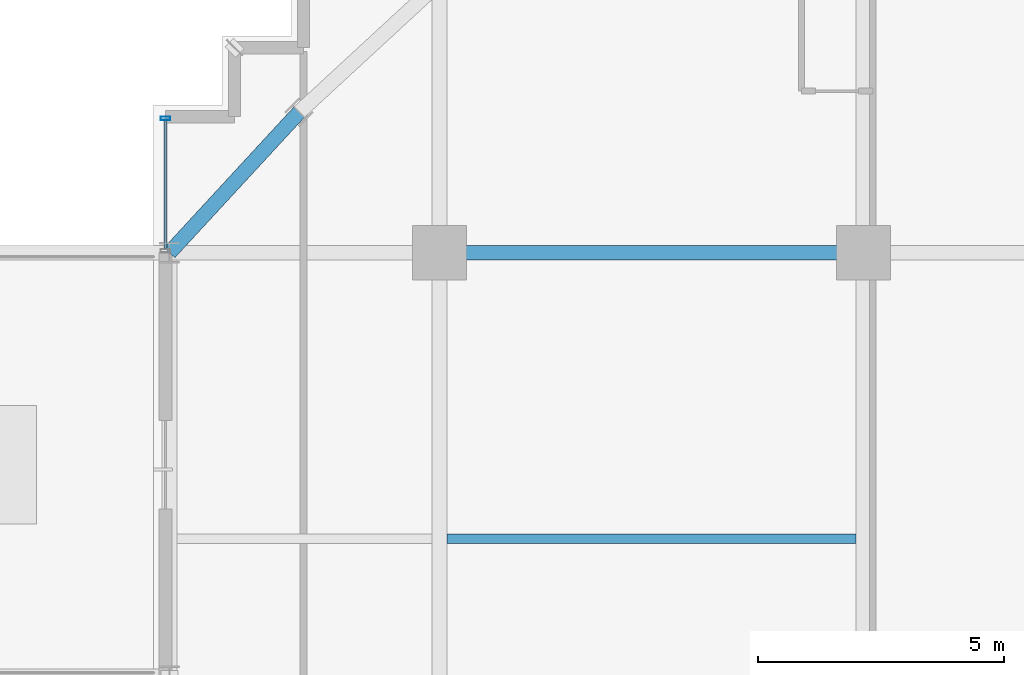
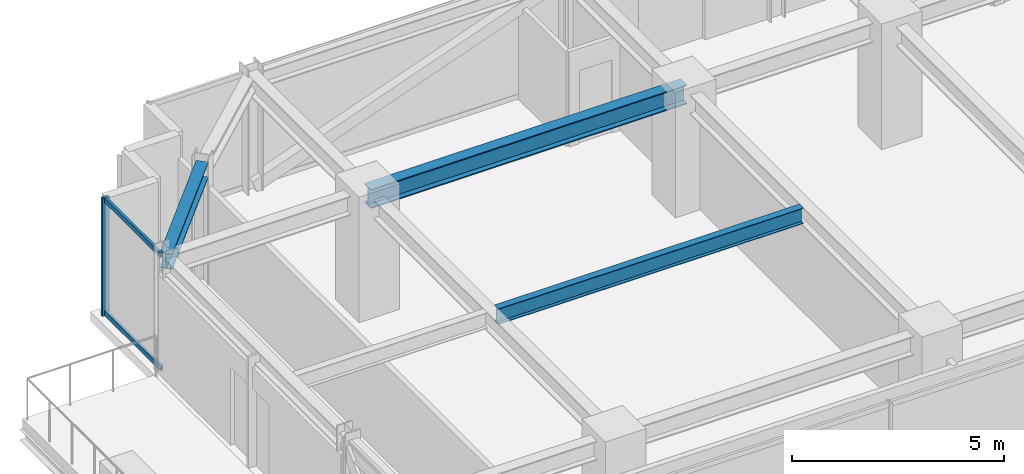
# One storey, part 23 of 43: 3 beams, 3 members, 1 element without a shape of its own.
"""IFC4 building model written with IfcOpenShell, lengths in metres."""

import ifcopenshell
import ifcopenshell.guid

model = None  # the IFC model being written
_history = None  # IfcOwnerHistory: only IFC2X3 demands one
_inside = {}  # id of a spatial element -> (the spatial element, [elements in it])
_under = {}  # id of a project, library or spatial element -> (it, [spatial elements below it])
_declared = {}  # id of a project -> (the project, [libraries it declares])
_typed = {}  # id of a type object -> (the type object, [elements of that type])
_made_of = {}  # id of a material, layer set ... -> (it, [elements and type objects made of it])


def new_model(schema):
    """Start an empty IFC model of exactly this schema.

    Asked for "IFC4X3", IfcOpenShell would pick the latest addendum, in which some entities
    have other attributes; the version numbers below select the first issue.
    IFC2X3 requires an IfcOwnerHistory on every rooted entity: one is made here for all.
    """
    global model, _history
    if schema == "IFC4X3":
        model = ifcopenshell.file(schema_version=(4, 3, 0, 0))
    else:
        model = ifcopenshell.file(schema=schema)
    _inside.clear()
    _under.clear()
    _declared.clear()
    _typed.clear()
    _made_of.clear()
    _history = None
    if model.schema == "IFC2X3":
        org = make("IfcOrganization", Name="unknown")
        user = make(
            "IfcPersonAndOrganization",
            ThePerson=make("IfcPerson", FamilyName="unknown"),
            TheOrganization=org,
        )
        app = make(
            "IfcApplication",
            ApplicationDeveloper=org,
            Version="unknown",
            ApplicationFullName="unknown",
            ApplicationIdentifier="unknown",
        )
        _history = make(
            "IfcOwnerHistory",
            OwningUser=user,
            OwningApplication=app,
            ChangeAction="ADDED",
            CreationDate=0,
        )
    return model


def make(cls, **values):
    """One entity of the class cls with the attributes given. An attribute that is None is left unset."""
    return model.create_entity(
        cls, **{name: value for name, value in values.items() if value is not None}
    )


def rooted(cls, **values):
    """An entity with a GlobalId (a new one), such as an element, a storey or a relation."""
    return make(cls, GlobalId=ifcopenshell.guid.new(), OwnerHistory=_history, **values)


def si_unit(unit_type, name, prefix=None):
    """IfcSIUnit, for example si_unit("LENGTHUNIT", "METRE", prefix="MILLI")."""
    return make("IfcSIUnit", UnitType=unit_type, Prefix=prefix, Name=name)


def assignment(units):
    """IfcUnitAssignment: the units of a project."""
    return None if units is None else make("IfcUnitAssignment", Units=units)


def point(xyz):
    """IfcCartesianPoint."""
    return None if xyz is None else make("IfcCartesianPoint", Coordinates=xyz)


def direction(xyz):
    """IfcDirection."""
    return None if xyz is None else make("IfcDirection", DirectionRatios=xyz)


def frame(location, z_axis=None, x_axis=None):
    """IfcAxis2Placement3D, a coordinate frame: its origin and axes. An axis left out is left unset."""
    return make(
        "IfcAxis2Placement3D",
        Location=point(location),
        Axis=direction(z_axis),
        RefDirection=direction(x_axis),
    )


def frame_2d(location, x_axis=None):
    """IfcAxis2Placement2D, a coordinate frame in the plane: its origin and x axis."""
    return make(
        "IfcAxis2Placement2D", Location=point(location), RefDirection=direction(x_axis)
    )


def origin():
    """The frame at (0, 0, 0) with its axes left unset."""
    return frame((0.0, 0.0, 0.0))


def origin_2d():
    """The frame at (0, 0) in the plane with its x axis left unset."""
    return frame_2d((0.0, 0.0))


def place(relative_to, where):
    """IfcLocalPlacement: puts the frame where relative to a parent placement (None: the world)."""
    return make(
        "IfcLocalPlacement", PlacementRelTo=relative_to, RelativePlacement=where
    )


def context(
    kind, dimensions, precision=None, world=None, true_north=None, identifier=None
):
    """IfcGeometricRepresentationContext, for example the 3D "Model" context."""
    return make(
        "IfcGeometricRepresentationContext",
        ContextIdentifier=identifier,
        ContextType=kind,
        CoordinateSpaceDimension=dimensions,
        Precision=precision,
        WorldCoordinateSystem=world,
        TrueNorth=true_north,
    )


def subcontext(parent, identifier, kind, view, scale=None):
    """IfcGeometricRepresentationSubContext, for example "Body" below "Model"."""
    return make(
        "IfcGeometricRepresentationSubContext",
        ContextIdentifier=identifier,
        ContextType=kind,
        ParentContext=parent,
        TargetScale=scale,
        TargetView=view,
    )


def project(units=None, contexts=None):
    """IfcProject with its units and contexts."""
    return rooted(
        "IfcProject",
        Name="project",
        RepresentationContexts=contexts,
        UnitsInContext=assignment(units),
    )


def spatial(cls, under=None, at=None, **own):
    """A site, building, storey or space (cls), placed at a placement, below another one or the project."""
    s = rooted(cls, ObjectPlacement=at, **own)
    if under is not None:
        _under.setdefault(under.id(), (under, []))[1].append(s)
    return s


def profile(cls, at=None, kind="AREA", **sizes):
    """A parametric profile (cls). Its sizes go by their IFC names, for example OverallWidth=200.0."""
    return make(cls, ProfileType=kind, Position=at, **sizes)


def hollow_rectangle(**sizes):
    """IfcRectangleHollowProfileDef."""
    return profile("IfcRectangleHollowProfileDef", **sizes)


def i_section(**sizes):
    """IfcIShapeProfileDef."""
    return profile("IfcIShapeProfileDef", **sizes)


def extrude(swept, where, along, depth):
    """IfcExtrudedAreaSolid: the profile swept, set in the frame where, extruded along a direction by depth."""
    return make(
        "IfcExtrudedAreaSolid",
        SweptArea=swept,
        Position=where,
        ExtrudedDirection=direction(along),
        Depth=depth,
    )


def shape(context_of_items, identifier, shape_type, items):
    """IfcShapeRepresentation: the items that make up one representation, for example the "Body"."""
    return make(
        "IfcShapeRepresentation",
        ContextOfItems=context_of_items,
        RepresentationIdentifier=identifier,
        RepresentationType=shape_type,
        Items=items,
    )


def source(mapping_origin, context_of_items, identifier, shape_type, items):
    """IfcRepresentationMap: a shape defined once, which mapped items show again and again."""
    return make(
        "IfcRepresentationMap",
        MappingOrigin=mapping_origin,
        MappedRepresentation=shape(context_of_items, identifier, shape_type, items),
    )


def transform(
    local_origin,
    x_axis=None,
    y_axis=None,
    z_axis=None,
    scale=None,
    scale2=None,
    scale3=None,
    uniform=True,
):
    """IfcCartesianTransformationOperator3D, or its non-uniform kind. x_axis, y_axis, z_axis: its Axis1, 2, 3."""
    if uniform:
        return make(
            "IfcCartesianTransformationOperator3D",
            Axis1=direction(x_axis),
            Axis2=direction(y_axis),
            LocalOrigin=point(local_origin),
            Scale=scale,
            Axis3=direction(z_axis),
        )
    return make(
        "IfcCartesianTransformationOperator3DnonUniform",
        Axis1=direction(x_axis),
        Axis2=direction(y_axis),
        LocalOrigin=point(local_origin),
        Scale=scale,
        Axis3=direction(z_axis),
        Scale2=scale2,
        Scale3=scale3,
    )


def mapped(mapping_source, mapping_target):
    """IfcMappedItem: shows the shape of a source again, moved by a transform."""
    return make(
        "IfcMappedItem", MappingSource=mapping_source, MappingTarget=mapping_target
    )


def material(Name=None, Category=None):
    """IfcMaterial."""
    return make("IfcMaterial", Name=Name, Category=Category)


def material_profile(
    of_material, cross_section, Name=None, Category=None, Priority=None
):
    """IfcMaterialProfile: a cross section and its material."""
    return make(
        "IfcMaterialProfile",
        Name=Name,
        Material=of_material,
        Profile=cross_section,
        Priority=Priority,
        Category=Category,
    )


def profile_set(profiles, Name=None, composite=None):
    """IfcMaterialProfileSet."""
    return make(
        "IfcMaterialProfileSet",
        Name=Name,
        MaterialProfiles=profiles,
        CompositeProfile=composite,
    )


def made_of(thing, what):
    """Note that an element or type object is made of a material, layer set ...; save() writes the relation."""
    if what is not None:
        _made_of.setdefault(what.id(), (what, []))[1].append(thing)
    return thing


def type_object(cls, material=None, **own):
    """A type object (cls), such as IfcWallType, which elements share."""
    return made_of(rooted(cls, **own), material)


def element(
    cls,
    number,
    at=None,
    inside=None,
    cuts=None,
    type_object=None,
    material=None,
    context=None,
    identifier="Body",
    shape_type=None,
    held_by="IfcProductDefinitionShape",
    body=None,
    shapes=None,
    **own,
):
    """One element of the class cls, such as IfcWall. Its Tag is "e" and its number.

    at: its placement. inside: the storey or other place that contains it. cuts: it is an
    opening in that element (IfcRelVoidsElement). A single representation is given by context,
    identifier, shape_type and body (its items); several are given by shapes. held_by: the class
    of the entity that holds the representations. save() writes the other relations.
    """
    e = rooted(cls, Tag="e%d" % number, ObjectPlacement=at, **own)
    if body is not None:
        shapes = [shape(context, identifier, shape_type, body)]
    if shapes is not None:
        e.Representation = make(held_by, Representations=shapes)
    if inside is not None:
        _inside.setdefault(inside.id(), (inside, []))[1].append(e)
    if cuts is not None:
        rooted(
            "IfcRelVoidsElement", RelatingBuildingElement=cuts, RelatedOpeningElement=e
        )
    if type_object is not None:
        _typed.setdefault(type_object.id(), (type_object, []))[1].append(e)
    return made_of(e, material)


def aggregate(whole, parts):
    """IfcRelAggregates: a whole, such as a stair, and the parts it consists of."""
    return rooted("IfcRelAggregates", RelatingObject=whole, RelatedObjects=parts)


def save(model, path):
    """Write the relations noted so far, then the file.

    IfcRelAggregates (storeys below a building ...), IfcRelContainedInSpatialStructure (elements
    in a storey), IfcRelDefinesByType, IfcRelAssociatesMaterial and IfcRelDeclares: one each for
    every whole, place, type object, material and project.
    """
    for whole, parts in _under.values():
        aggregate(whole, parts)
    for where, things in _inside.values():
        rooted(
            "IfcRelContainedInSpatialStructure",
            RelatedElements=things,
            RelatingStructure=where,
        )
    for kind, things in _typed.values():
        rooted("IfcRelDefinesByType", RelatedObjects=things, RelatingType=kind)
    for what, things in _made_of.values():
        rooted("IfcRelAssociatesMaterial", RelatedObjects=things, RelatingMaterial=what)
    for by, libraries in _declared.values():
        rooted("IfcRelDeclares", RelatingContext=by, RelatedDefinitions=libraries)
    model.write(path)


model = new_model("IFC4")

# Units and contexts
model_context = context("Model", 3, precision=1e-05, world=origin(), true_north=direction((0.0, 1.0)))
body_context = subcontext(model_context, "Body", "Model", "MODEL_VIEW")
ifc_project = project(units=[si_unit("LENGTHUNIT", "METRE"), si_unit("AREAUNIT", "SQUARE_METRE"), si_unit("VOLUMEUNIT", "CUBIC_METRE"), si_unit("PLANEANGLEUNIT", "RADIAN"), si_unit("MASSUNIT", "GRAM", prefix="KILO")], contexts=[model_context])

# Site, building, storey
site_placement = place(None, origin())
site = spatial("IfcSite", under=ifc_project, at=site_placement, CompositionType="ELEMENT")
building_placement = place(site_placement, origin())
building = spatial("IfcBuilding", under=site, at=building_placement, Name="Nahalor Promenade Grand Hotel", CompositionType="ELEMENT")
storey_placement = place(building_placement, frame((0.0, 0.0, 181.85009765625)))
storey = spatial("IfcBuildingStorey", under=building, at=storey_placement, Name="L46", CompositionType="ELEMENT", Elevation=181.85009765625)

# Beams
ifc_material_1 = material(Name="Steel S355JR", Category="steel")
ifc_material_profile_1 = material_profile(ifc_material_1, i_section(OverallWidth=0.3, OverallDepth=0.55, WebThickness=0.015, FlangeThickness=0.029, at=origin_2d()), Name="HEB 550")
ifc_profile_set_1 = profile_set([ifc_material_profile_1], Name="Steel S355JR")
beam_type_1 = type_object("IfcBeamType", Name="Beam-Girder-HEB550", PredefinedType="BEAM", material=ifc_profile_set_1)
shared_shape_1 = source(origin(), body_context, "Body", "SweptSolid", [
    extrude(i_section(OverallWidth=0.3, OverallDepth=0.55, WebThickness=0.015, FlangeThickness=0.029, at=origin_2d()), origin(), (0.0, 0.0, 1.0), 8.60009765625),
])
beam_1_placement = place(storey_placement, frame((-17.0, 17.0, 3.114990234375), z_axis=(1.0, 0.0, 0.0), x_axis=(0.0, 1.0, 0.0)))
element("IfcBeam", 1, at=beam_1_placement, inside=storey, type_object=beam_type_1, Name="BM-L46-GX-3-1", PredefinedType="BEAM", context=body_context, shape_type="MappedRepresentation", body=[
    mapped(shared_shape_1, transform((0.0, 0.0, 0.0), scale=1.0)),
])
ifc_material_profile_2 = material_profile(ifc_material_1, i_section(OverallWidth=0.19, OverallDepth=0.45, WebThickness=0.0094, FlangeThickness=0.0146, at=origin_2d()), Name="IPE 450")
ifc_profile_set_2 = profile_set([ifc_material_profile_2], Name="Steel S355JR")
beam_type_2 = type_object("IfcBeamType", Name="Beam-Joist-IPE450", PredefinedType="JOIST", material=ifc_profile_set_2)
shared_shape_2 = source(origin(), body_context, "Body", "SweptSolid", [
    extrude(i_section(OverallWidth=0.19, OverallDepth=0.45, WebThickness=0.0094, FlangeThickness=0.0146, at=origin_2d()), origin(), (0.0, 0.0, 1.0), 8.300048828125),
])
beam_2_placement = place(storey_placement, frame((-16.85009765625, 11.199951171875, 3.164794921875), z_axis=(1.0, 0.0, 0.0), x_axis=(0.0, 1.0, 0.0)))
element("IfcBeam", 2, at=beam_2_placement, inside=storey, type_object=beam_type_2, Name="BM-L46-JSW-1-1", PredefinedType="JOIST", context=body_context, shape_type="MappedRepresentation", body=[
    mapped(shared_shape_2, transform((0.0, 0.0, 0.0), scale=1.0)),
])
ifc_material_profile_3 = material_profile(ifc_material_1, i_section(OverallWidth=0.3, OverallDepth=0.45, WebThickness=0.014, FlangeThickness=0.026, at=origin_2d()), Name="HEB 450")
ifc_profile_set_3 = profile_set([ifc_material_profile_3], Name="Steel S355JR")
beam_type_3 = type_object("IfcBeamType", Name="Beam-Spandrel-HEB450", PredefinedType="SPANDREL", material=ifc_profile_set_3)
shared_shape_3 = source(origin(), body_context, "Body", "SweptSolid", [
    extrude(i_section(OverallWidth=0.3, OverallDepth=0.45, WebThickness=0.014, FlangeThickness=0.026, at=origin_2d()), origin(), (0.0, 0.0, 1.0), 3.878173828125),
])
beam_3_placement = place(storey_placement, frame((-19.85009765625, 19.85009765625, 3.164794921875), z_axis=(-0.678144125843, -0.73492893846, 0.0), x_axis=(0.73492893846, -0.678144125843, 0.0)))
element("IfcBeam", 3, at=beam_3_placement, inside=storey, type_object=beam_type_3, Name="BM-L46-SPC-NW-2", PredefinedType="SPANDREL", context=body_context, shape_type="MappedRepresentation", body=[
    mapped(shared_shape_3, transform((0.0, 0.0, 0.0), scale=1.0)),
])

# Curtain wall, members
ifc_material_2 = material(Name="Anodised Bronze Aluminium EN AW-6063 T6", Category="aluminium")
curtain_wall_type = type_object("IfcCurtainWallType", Name="CW3 Elliptical-Void Collar Unitised Curtain Wall", PredefinedType="USERDEFINED", material=ifc_material_2)
curtain_wall_placement = place(storey_placement, origin())
curtain_wall = element("IfcCurtainWall", 4, at=curtain_wall_placement, inside=storey, type_object=curtain_wall_type, Name="L46 Curtain Wall CW-L46-W-4", ObjectType="UNITISED_CURTAIN_WALL", PredefinedType="USERDEFINED")
ifc_material_profile_4 = material_profile(ifc_material_2, hollow_rectangle(XDim=0.07, YDim=0.14, WallThickness=0.004, at=origin_2d()), Name="CWT 70x140x4")
ifc_profile_set_4 = profile_set([ifc_material_profile_4], Name="Anodised Bronze Aluminium EN AW-6063 T6")
member_type_1 = type_object("IfcMemberType", Name="CWT3 Void Collar Transom 70x140", PredefinedType="USERDEFINED", material=ifc_profile_set_4)
shared_shape_4 = source(origin(), body_context, "Body", "SweptSolid", [
    extrude(hollow_rectangle(XDim=0.07, YDim=0.14, WallThickness=0.004, at=origin_2d()), origin(), (0.0, 0.0, 1.0), 2.619873046875),
])
member_1_placement = place(storey_placement, frame((-22.56005859375, 17.070068359375, 0.06982421875), z_axis=(0.0, 1.0, 0.0), x_axis=(-1.0, 0.0, 0.0)))
member_1 = element("IfcMember", 5, at=member_1_placement, type_object=member_type_1, Name="CW-L46-W-4 Transom 0-0", ObjectType="TRANSOM", PredefinedType="USERDEFINED", context=body_context, shape_type="MappedRepresentation", body=[
    mapped(shared_shape_4, transform((0.0, 0.0, 0.0), scale=1.0)),
])
member_2_placement = place(storey_placement, frame((-22.56005859375, 17.070068359375, 3.31982421875), z_axis=(0.0, 1.0, 0.0), x_axis=(-1.0, 0.0, 0.0)))
member_2 = element("IfcMember", 6, at=member_2_placement, type_object=member_type_1, Name="CW-L46-W-4 Transom 0-1", ObjectType="TRANSOM", PredefinedType="USERDEFINED", context=body_context, shape_type="MappedRepresentation", body=[
    mapped(shared_shape_4, transform((0.0, 0.0, 0.0), scale=1.0)),
])
ifc_material_profile_5 = material_profile(ifc_material_2, hollow_rectangle(XDim=0.07, YDim=0.2, WallThickness=0.005, at=origin_2d()), Name="CWM 70x200x5")
ifc_profile_set_5 = profile_set([ifc_material_profile_5], Name="Anodised Bronze Aluminium EN AW-6063 T6")
member_type_2 = type_object("IfcMemberType", Name="CWM3 Void Collar Mullion 70x200", PredefinedType="MULLION", material=ifc_profile_set_5)
shared_shape_5 = source(origin(), body_context, "Body", "SweptSolid", [
    extrude(hollow_rectangle(XDim=0.07, YDim=0.2, WallThickness=0.005, at=origin_2d()), origin(), (0.0, 0.0, 1.0), 3.389892578125),
])
member_3_placement = place(storey_placement, frame((-22.56005859375, 19.72509765625, 0.0), z_axis=(0.0, 0.0, 1.0), x_axis=(0.0, 1.0, 0.0)))
member_3 = element("IfcMember", 7, at=member_3_placement, type_object=member_type_2, Name="CW-L46-W-4 Mullion 1", PredefinedType="MULLION", context=body_context, shape_type="MappedRepresentation", body=[
    mapped(shared_shape_5, transform((0.0, 0.0, 0.0), scale=1.0)),
])
aggregate(curtain_wall, [member_3, member_1, member_2])

save(model, "model.ifc")
